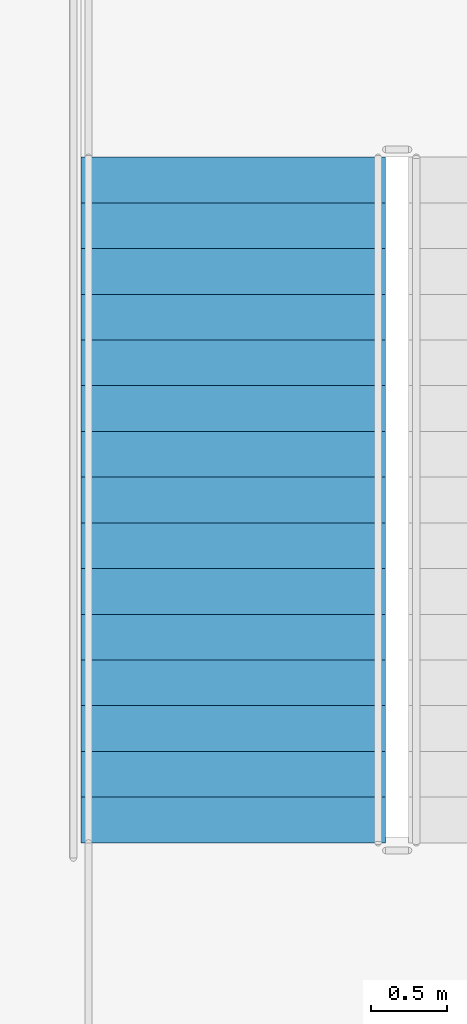
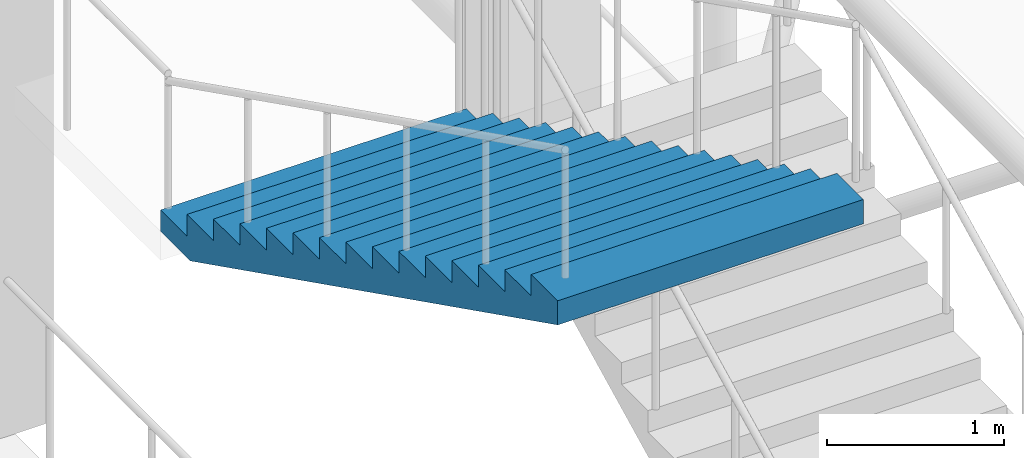
# One storey, part 81 of 100: 1 stair flight, 1 element without a shape of its own.
"""IFC4 building model written with IfcOpenShell, lengths in metres."""

from ifc_helpers import new_model, si_unit, direction, frame, origin, place, context, subcontext, project, spatial, faceted_brep, material, type_object, element, aggregate, save


model = new_model("IFC4")

# Units and contexts
model_context = context("Model", 3, precision=1e-05, world=origin(), true_north=direction((0.0, 1.0)))
body_context = subcontext(model_context, "Body", "Model", "MODEL_VIEW")
ifc_project = project(units=[si_unit("LENGTHUNIT", "METRE"), si_unit("AREAUNIT", "SQUARE_METRE"), si_unit("VOLUMEUNIT", "CUBIC_METRE"), si_unit("PLANEANGLEUNIT", "RADIAN"), si_unit("MASSUNIT", "GRAM", prefix="KILO")], contexts=[model_context])

# Site, building, storey
site_placement = place(None, origin())
site = spatial("IfcSite", under=ifc_project, at=site_placement, CompositionType="ELEMENT")
building_placement = place(site_placement, origin())
building = spatial("IfcBuilding", under=site, at=building_placement, Name="Kiln Court Media Centre", CompositionType="ELEMENT")
storey_placement = place(building_placement, frame((0.0, 0.0, 15.0)))
storey = spatial("IfcBuildingStorey", under=building, at=storey_placement, Name="L03", CompositionType="ELEMENT", Elevation=15.0)

# Stair, stair flight
ifc_material_1 = material(Name="Concrete C40/50", Category="concrete")
stair_type = type_object("IfcStairType", Name="Concrete C40/50 dog-leg stair 2000 wide, 150 riser", PredefinedType="HALF_TURN_STAIR", material=ifc_material_1)
stair_placement = place(storey_placement, origin())
stair = element("IfcStair", 1, at=stair_placement, inside=storey, type_object=stair_type, Name="ST-F1 L03", PredefinedType="HALF_TURN_STAIR")
ifc_material_2 = material(Name="Concrete C40/50", Category="concrete")
stair_flight_type = type_object("IfcStairFlightType", Name="Concrete C40/50 stair flight 2000 wide, 150 riser, 300 going", PredefinedType="STRAIGHT", material=ifc_material_2)
stair_flight_placement = place(storey_placement, frame((55.64990234375, 40.10009765625, 2.39990234375), z_axis=(0.0, 0.0, 1.0), x_axis=(0.0, -1.0, 0.0)))
stair_flight = element("IfcStairFlight", 2, at=stair_flight_placement, type_object=stair_flight_type, Name="L03-ST-5009 flight 5019", NumberOfRisers=16, NumberOfTreads=15, PredefinedType="STRAIGHT", RiserHeight=0.15, TreadLength=0.3, context=body_context, shape_type="Brep", body=[
    faceted_brep([(0.335205078125, -1.0, 0.0), (4.5, -1.0, 2.08251953125), (4.5, -1.0, 2.25), (4.199951171875, -1.0, 2.25), (4.199951171875, -1.0, 2.10009765625), (3.89990234375, -1.0, 2.10009765625), (3.89990234375, -1.0, 1.949951171875), (3.60009765625, -1.0, 1.949951171875), (3.60009765625, -1.0, 1.800048828125), (3.300048828125, -1.0, 1.800048828125), (3.300048828125, -1.0, 1.64990234375), (3.0, -1.0, 1.64990234375), (3.0, -1.0, 1.5), (2.699951171875, -1.0, 1.5), (2.699951171875, -1.0, 1.35009765625), (2.39990234375, -1.0, 1.35009765625), (2.39990234375, -1.0, 1.199951171875), (2.10009765625, -1.0, 1.199951171875), (2.10009765625, -1.0, 1.050048828125), (1.800048828125, -1.0, 1.050048828125), (1.800048828125, -1.0, 0.89990234375), (1.5, -1.0, 0.89990234375), (1.5, -1.0, 0.75), (1.199951171875, -1.0, 0.75), (1.199951171875, -1.0, 0.60009765625), (0.89990234375, -1.0, 0.60009765625), (0.89990234375, -1.0, 0.449951171875), (0.60009765625, -1.0, 0.449951171875), (0.60009765625, -1.0, 0.300048828125), (0.300048828125, -1.0, 0.300048828125), (0.300048828125, -1.0, 0.14990234375), (0.0, -1.0, 0.14990234375), (0.0, -1.0, 0.0), (0.0, 1.0, 0.0), (0.0, 1.0, 0.14990234375), (0.300048828125, 1.0, 0.14990234375), (0.300048828125, 1.0, 0.300048828125), (0.60009765625, 1.0, 0.300048828125), (0.60009765625, 1.0, 0.449951171875), (0.89990234375, 1.0, 0.449951171875), (0.89990234375, 1.0, 0.60009765625), (1.199951171875, 1.0, 0.60009765625), (1.199951171875, 1.0, 0.75), (1.5, 1.0, 0.75), (1.5, 1.0, 0.89990234375), (1.800048828125, 1.0, 0.89990234375), (1.800048828125, 1.0, 1.050048828125), (2.10009765625, 1.0, 1.050048828125), (2.10009765625, 1.0, 1.199951171875), (2.39990234375, 1.0, 1.199951171875), (2.39990234375, 1.0, 1.35009765625), (2.699951171875, 1.0, 1.35009765625), (2.699951171875, 1.0, 1.5), (3.0, 1.0, 1.5), (3.0, 1.0, 1.64990234375), (3.300048828125, 1.0, 1.64990234375), (3.300048828125, 1.0, 1.800048828125), (3.60009765625, 1.0, 1.800048828125), (3.60009765625, 1.0, 1.949951171875), (3.89990234375, 1.0, 1.949951171875), (3.89990234375, 1.0, 2.10009765625), (4.199951171875, 1.0, 2.10009765625), (4.199951171875, 1.0, 2.25), (4.5, 1.0, 2.25), (4.5, 1.0, 2.08251953125), (0.335205078125, 1.0, 0.0), (4.5, 0.10009765625, 2.08251953125), (0.335205078125, 0.10009765625, 0.0), (4.5, 0.080078125, 2.08251953125), (0.335205078125, 0.080078125, 0.0), (4.5, 0.06005859375, 2.08251953125), (0.335205078125, 0.06005859375, 0.0), (4.5, 0.0400390625, 2.08251953125), (0.335205078125, 0.0400390625, 0.0), (4.5, 0.02001953125, 2.08251953125), (0.335205078125, 0.02001953125, 0.0), (4.5, 0.0, 2.08251953125), (0.335205078125, 0.0, 0.0), (4.5, -0.02001953125, 2.08251953125), (0.335205078125, -0.02001953125, 0.0), (4.5, -0.0400390625, 2.08251953125), (0.335205078125, -0.0400390625, 0.0), (4.5, -0.06005859375, 2.08251953125), (0.335205078125, -0.06005859375, 0.0), (4.5, -0.080078125, 2.08251953125), (0.335205078125, -0.080078125, 0.0), (4.5, -0.10009765625, 2.08251953125), (0.335205078125, -0.10009765625, 0.0), (4.5, 0.10009765625, 2.25), (4.5, 0.080078125, 2.25), (4.5, 0.06005859375, 2.25), (4.5, 0.0400390625, 2.25), (4.5, 0.02001953125, 2.25), (4.5, 0.0, 2.25), (4.5, -0.02001953125, 2.25), (4.5, -0.0400390625, 2.25), (4.5, -0.06005859375, 2.25), (4.5, -0.080078125, 2.25), (4.5, -0.10009765625, 2.25), (4.199951171875, 0.10009765625, 2.25), (4.199951171875, 0.080078125, 2.25), (4.199951171875, 0.06005859375, 2.25), (4.199951171875, 0.0400390625, 2.25), (4.199951171875, 0.02001953125, 2.25), (4.199951171875, 0.0, 2.25), (4.199951171875, -0.02001953125, 2.25), (4.199951171875, -0.0400390625, 2.25), (4.199951171875, -0.06005859375, 2.25), (4.199951171875, -0.080078125, 2.25), (4.199951171875, -0.10009765625, 2.25), (4.199951171875, 0.10009765625, 2.10009765625), (4.199951171875, 0.080078125, 2.10009765625), (4.199951171875, 0.06005859375, 2.10009765625), (4.199951171875, 0.0400390625, 2.10009765625), (4.199951171875, 0.02001953125, 2.10009765625), (4.199951171875, 0.0, 2.10009765625), (4.199951171875, -0.02001953125, 2.10009765625), (4.199951171875, -0.0400390625, 2.10009765625), (4.199951171875, -0.06005859375, 2.10009765625), (4.199951171875, -0.080078125, 2.10009765625), (4.199951171875, -0.10009765625, 2.10009765625), (3.89990234375, 0.10009765625, 2.10009765625), (3.89990234375, 0.080078125, 2.10009765625), (3.89990234375, 0.06005859375, 2.10009765625), (3.89990234375, 0.0400390625, 2.10009765625), (3.89990234375, 0.02001953125, 2.10009765625), (3.89990234375, 0.0, 2.10009765625), (3.89990234375, -0.02001953125, 2.10009765625), (3.89990234375, -0.0400390625, 2.10009765625), (3.89990234375, -0.06005859375, 2.10009765625), (3.89990234375, -0.080078125, 2.10009765625), (3.89990234375, -0.10009765625, 2.10009765625), (3.89990234375, 0.10009765625, 1.949951171875), (3.89990234375, 0.080078125, 1.949951171875), (3.89990234375, 0.06005859375, 1.949951171875), (3.89990234375, 0.0400390625, 1.949951171875), (3.89990234375, 0.02001953125, 1.949951171875), (3.89990234375, 0.0, 1.949951171875), (3.89990234375, -0.02001953125, 1.949951171875), (3.89990234375, -0.0400390625, 1.949951171875), (3.89990234375, -0.06005859375, 1.949951171875), (3.89990234375, -0.080078125, 1.949951171875), (3.89990234375, -0.10009765625, 1.949951171875), (3.60009765625, 0.10009765625, 1.949951171875), (3.60009765625, 0.080078125, 1.949951171875), (3.60009765625, 0.06005859375, 1.949951171875), (3.60009765625, 0.0400390625, 1.949951171875), (3.60009765625, 0.02001953125, 1.949951171875), (3.60009765625, 0.0, 1.949951171875), (3.60009765625, -0.02001953125, 1.949951171875), (3.60009765625, -0.0400390625, 1.949951171875), (3.60009765625, -0.06005859375, 1.949951171875), (3.60009765625, -0.080078125, 1.949951171875), (3.60009765625, -0.10009765625, 1.949951171875), (3.60009765625, 0.10009765625, 1.800048828125), (3.60009765625, 0.080078125, 1.800048828125), (3.60009765625, 0.06005859375, 1.800048828125), (3.60009765625, 0.0400390625, 1.800048828125), (3.60009765625, 0.02001953125, 1.800048828125), (3.60009765625, 0.0, 1.800048828125), (3.60009765625, -0.02001953125, 1.800048828125), (3.60009765625, -0.0400390625, 1.800048828125), (3.60009765625, -0.06005859375, 1.800048828125), (3.60009765625, -0.080078125, 1.800048828125), (3.60009765625, -0.10009765625, 1.800048828125), (3.300048828125, 0.10009765625, 1.800048828125), (3.300048828125, 0.080078125, 1.800048828125), (3.300048828125, 0.06005859375, 1.800048828125), (3.300048828125, 0.0400390625, 1.800048828125), (3.300048828125, 0.02001953125, 1.800048828125), (3.300048828125, 0.0, 1.800048828125), (3.300048828125, -0.02001953125, 1.800048828125), (3.300048828125, -0.0400390625, 1.800048828125), (3.300048828125, -0.06005859375, 1.800048828125), (3.300048828125, -0.080078125, 1.800048828125), (3.300048828125, -0.10009765625, 1.800048828125), (3.300048828125, 0.10009765625, 1.64990234375), (3.300048828125, 0.080078125, 1.64990234375), (3.300048828125, 0.06005859375, 1.64990234375), (3.300048828125, 0.0400390625, 1.64990234375), (3.300048828125, 0.02001953125, 1.64990234375), (3.300048828125, 0.0, 1.64990234375), (3.300048828125, -0.02001953125, 1.64990234375), (3.300048828125, -0.0400390625, 1.64990234375), (3.300048828125, -0.06005859375, 1.64990234375), (3.300048828125, -0.080078125, 1.64990234375), (3.300048828125, -0.10009765625, 1.64990234375), (3.0, 0.10009765625, 1.64990234375), (3.0, 0.080078125, 1.64990234375), (3.0, 0.06005859375, 1.64990234375), (3.0, 0.0400390625, 1.64990234375), (3.0, 0.02001953125, 1.64990234375), (3.0, 0.0, 1.64990234375), (3.0, -0.02001953125, 1.64990234375), (3.0, -0.0400390625, 1.64990234375), (3.0, -0.06005859375, 1.64990234375), (3.0, -0.080078125, 1.64990234375), (3.0, -0.10009765625, 1.64990234375), (3.0, 0.10009765625, 1.5), (3.0, 0.080078125, 1.5), (3.0, 0.06005859375, 1.5), (3.0, 0.0400390625, 1.5), (3.0, 0.02001953125, 1.5), (3.0, 0.0, 1.5), (3.0, -0.02001953125, 1.5), (3.0, -0.0400390625, 1.5), (3.0, -0.06005859375, 1.5), (3.0, -0.080078125, 1.5), (3.0, -0.10009765625, 1.5), (2.699951171875, 0.10009765625, 1.5), (2.699951171875, 0.080078125, 1.5), (2.699951171875, 0.06005859375, 1.5), (2.699951171875, 0.0400390625, 1.5), (2.699951171875, 0.02001953125, 1.5), (2.699951171875, 0.0, 1.5), (2.699951171875, -0.02001953125, 1.5), (2.699951171875, -0.0400390625, 1.5), (2.699951171875, -0.06005859375, 1.5), (2.699951171875, -0.080078125, 1.5), (2.699951171875, -0.10009765625, 1.5), (2.699951171875, 0.10009765625, 1.35009765625), (2.699951171875, 0.080078125, 1.35009765625), (2.699951171875, 0.06005859375, 1.35009765625), (2.699951171875, 0.0400390625, 1.35009765625), (2.699951171875, 0.02001953125, 1.35009765625), (2.699951171875, 0.0, 1.35009765625), (2.699951171875, -0.02001953125, 1.35009765625), (2.699951171875, -0.0400390625, 1.35009765625), (2.699951171875, -0.06005859375, 1.35009765625), (2.699951171875, -0.080078125, 1.35009765625), (2.699951171875, -0.10009765625, 1.35009765625), (2.39990234375, 0.10009765625, 1.35009765625), (2.39990234375, 0.080078125, 1.35009765625), (2.39990234375, 0.06005859375, 1.35009765625), (2.39990234375, 0.0400390625, 1.35009765625), (2.39990234375, 0.02001953125, 1.35009765625), (2.39990234375, 0.0, 1.35009765625), (2.39990234375, -0.02001953125, 1.35009765625), (2.39990234375, -0.0400390625, 1.35009765625), (2.39990234375, -0.06005859375, 1.35009765625), (2.39990234375, -0.080078125, 1.35009765625), (2.39990234375, -0.10009765625, 1.35009765625), (2.39990234375, 0.10009765625, 1.199951171875), (2.39990234375, 0.080078125, 1.199951171875), (2.39990234375, 0.06005859375, 1.199951171875), (2.39990234375, 0.0400390625, 1.199951171875), (2.39990234375, 0.02001953125, 1.199951171875), (2.39990234375, 0.0, 1.199951171875), (2.39990234375, -0.02001953125, 1.199951171875), (2.39990234375, -0.0400390625, 1.199951171875), (2.39990234375, -0.06005859375, 1.199951171875), (2.39990234375, -0.080078125, 1.199951171875), (2.39990234375, -0.10009765625, 1.199951171875), (2.10009765625, 0.10009765625, 1.199951171875), (2.10009765625, 0.080078125, 1.199951171875), (2.10009765625, 0.06005859375, 1.199951171875), (2.10009765625, 0.0400390625, 1.199951171875), (2.10009765625, 0.02001953125, 1.199951171875), (2.10009765625, 0.0, 1.199951171875), (2.10009765625, -0.02001953125, 1.199951171875), (2.10009765625, -0.0400390625, 1.199951171875), (2.10009765625, -0.06005859375, 1.199951171875), (2.10009765625, -0.080078125, 1.199951171875), (2.10009765625, -0.10009765625, 1.199951171875), (2.10009765625, 0.10009765625, 1.050048828125), (2.10009765625, 0.080078125, 1.050048828125), (2.10009765625, 0.06005859375, 1.050048828125), (2.10009765625, 0.0400390625, 1.050048828125), (2.10009765625, 0.02001953125, 1.050048828125), (2.10009765625, 0.0, 1.050048828125), (2.10009765625, -0.02001953125, 1.050048828125), (2.10009765625, -0.0400390625, 1.050048828125), (2.10009765625, -0.06005859375, 1.050048828125), (2.10009765625, -0.080078125, 1.050048828125), (2.10009765625, -0.10009765625, 1.050048828125), (1.800048828125, 0.10009765625, 1.050048828125), (1.800048828125, 0.080078125, 1.050048828125), (1.800048828125, 0.06005859375, 1.050048828125), (1.800048828125, 0.0400390625, 1.050048828125), (1.800048828125, 0.02001953125, 1.050048828125), (1.800048828125, 0.0, 1.050048828125), (1.800048828125, -0.02001953125, 1.050048828125), (1.800048828125, -0.0400390625, 1.050048828125), (1.800048828125, -0.06005859375, 1.050048828125), (1.800048828125, -0.080078125, 1.050048828125), (1.800048828125, -0.10009765625, 1.050048828125), (1.800048828125, 0.10009765625, 0.89990234375), (1.800048828125, 0.080078125, 0.89990234375), (1.800048828125, 0.06005859375, 0.89990234375), (1.800048828125, 0.0400390625, 0.89990234375), (1.800048828125, 0.02001953125, 0.89990234375), (1.800048828125, 0.0, 0.89990234375), (1.800048828125, -0.02001953125, 0.89990234375), (1.800048828125, -0.0400390625, 0.89990234375), (1.800048828125, -0.06005859375, 0.89990234375), (1.800048828125, -0.080078125, 0.89990234375), (1.800048828125, -0.10009765625, 0.89990234375), (1.5, 0.10009765625, 0.89990234375), (1.5, 0.080078125, 0.89990234375), (1.5, 0.06005859375, 0.89990234375), (1.5, 0.0400390625, 0.89990234375), (1.5, 0.02001953125, 0.89990234375), (1.5, 0.0, 0.89990234375), (1.5, -0.02001953125, 0.89990234375), (1.5, -0.0400390625, 0.89990234375), (1.5, -0.06005859375, 0.89990234375), (1.5, -0.080078125, 0.89990234375), (1.5, -0.10009765625, 0.89990234375), (1.5, 0.10009765625, 0.75), (1.5, 0.080078125, 0.75), (1.5, 0.06005859375, 0.75), (1.5, 0.0400390625, 0.75), (1.5, 0.02001953125, 0.75), (1.5, 0.0, 0.75), (1.5, -0.02001953125, 0.75), (1.5, -0.0400390625, 0.75), (1.5, -0.06005859375, 0.75), (1.5, -0.080078125, 0.75), (1.5, -0.10009765625, 0.75), (1.199951171875, 0.10009765625, 0.75), (1.199951171875, 0.080078125, 0.75), (1.199951171875, 0.06005859375, 0.75), (1.199951171875, 0.0400390625, 0.75), (1.199951171875, 0.02001953125, 0.75), (1.199951171875, 0.0, 0.75), (1.199951171875, -0.02001953125, 0.75), (1.199951171875, -0.0400390625, 0.75), (1.199951171875, -0.06005859375, 0.75), (1.199951171875, -0.080078125, 0.75), (1.199951171875, -0.10009765625, 0.75), (1.199951171875, 0.10009765625, 0.60009765625), (1.199951171875, 0.080078125, 0.60009765625), (1.199951171875, 0.06005859375, 0.60009765625), (1.199951171875, 0.0400390625, 0.60009765625), (1.199951171875, 0.02001953125, 0.60009765625), (1.199951171875, 0.0, 0.60009765625), (1.199951171875, -0.02001953125, 0.60009765625), (1.199951171875, -0.0400390625, 0.60009765625), (1.199951171875, -0.06005859375, 0.60009765625), (1.199951171875, -0.080078125, 0.60009765625), (1.199951171875, -0.10009765625, 0.60009765625), (0.89990234375, 0.10009765625, 0.60009765625), (0.89990234375, 0.080078125, 0.60009765625), (0.89990234375, 0.06005859375, 0.60009765625), (0.89990234375, 0.0400390625, 0.60009765625), (0.89990234375, 0.02001953125, 0.60009765625), (0.89990234375, 0.0, 0.60009765625), (0.89990234375, -0.02001953125, 0.60009765625), (0.89990234375, -0.0400390625, 0.60009765625), (0.89990234375, -0.06005859375, 0.60009765625), (0.89990234375, -0.080078125, 0.60009765625), (0.89990234375, -0.10009765625, 0.60009765625), (0.89990234375, 0.10009765625, 0.449951171875), (0.89990234375, 0.080078125, 0.449951171875), (0.89990234375, 0.06005859375, 0.449951171875), (0.89990234375, 0.0400390625, 0.449951171875), (0.89990234375, 0.02001953125, 0.449951171875), (0.89990234375, 0.0, 0.449951171875), (0.89990234375, -0.02001953125, 0.449951171875), (0.89990234375, -0.0400390625, 0.449951171875), (0.89990234375, -0.06005859375, 0.449951171875), (0.89990234375, -0.080078125, 0.449951171875), (0.89990234375, -0.10009765625, 0.449951171875), (0.60009765625, 0.10009765625, 0.449951171875), (0.60009765625, 0.080078125, 0.449951171875), (0.60009765625, 0.06005859375, 0.449951171875), (0.60009765625, 0.0400390625, 0.449951171875), (0.60009765625, 0.02001953125, 0.449951171875), (0.60009765625, 0.0, 0.449951171875), (0.60009765625, -0.02001953125, 0.449951171875), (0.60009765625, -0.0400390625, 0.449951171875), (0.60009765625, -0.06005859375, 0.449951171875), (0.60009765625, -0.080078125, 0.449951171875), (0.60009765625, -0.10009765625, 0.449951171875), (0.60009765625, 0.10009765625, 0.300048828125), (0.60009765625, 0.080078125, 0.300048828125), (0.60009765625, 0.06005859375, 0.300048828125), (0.60009765625, 0.0400390625, 0.300048828125), (0.60009765625, 0.02001953125, 0.300048828125), (0.60009765625, 0.0, 0.300048828125), (0.60009765625, -0.02001953125, 0.300048828125), (0.60009765625, -0.0400390625, 0.300048828125), (0.60009765625, -0.06005859375, 0.300048828125), (0.60009765625, -0.080078125, 0.300048828125), (0.60009765625, -0.10009765625, 0.300048828125), (0.300048828125, 0.10009765625, 0.300048828125), (0.300048828125, 0.080078125, 0.300048828125), (0.300048828125, 0.06005859375, 0.300048828125), (0.300048828125, 0.0400390625, 0.300048828125), (0.300048828125, 0.02001953125, 0.300048828125), (0.300048828125, 0.0, 0.300048828125), (0.300048828125, -0.02001953125, 0.300048828125), (0.300048828125, -0.0400390625, 0.300048828125), (0.300048828125, -0.06005859375, 0.300048828125), (0.300048828125, -0.080078125, 0.300048828125), (0.300048828125, -0.10009765625, 0.300048828125), (0.300048828125, 0.10009765625, 0.14990234375), (0.300048828125, 0.080078125, 0.14990234375), (0.300048828125, 0.06005859375, 0.14990234375), (0.300048828125, 0.0400390625, 0.14990234375), (0.300048828125, 0.02001953125, 0.14990234375), (0.300048828125, 0.0, 0.14990234375), (0.300048828125, -0.02001953125, 0.14990234375), (0.300048828125, -0.0400390625, 0.14990234375), (0.300048828125, -0.06005859375, 0.14990234375), (0.300048828125, -0.080078125, 0.14990234375), (0.300048828125, -0.10009765625, 0.14990234375), (0.0, 0.10009765625, 0.14990234375), (0.0, 0.080078125, 0.14990234375), (0.0, 0.06005859375, 0.14990234375), (0.0, 0.0400390625, 0.14990234375), (0.0, 0.02001953125, 0.14990234375), (0.0, 0.0, 0.14990234375), (0.0, -0.02001953125, 0.14990234375), (0.0, -0.0400390625, 0.14990234375), (0.0, -0.06005859375, 0.14990234375), (0.0, -0.080078125, 0.14990234375), (0.0, -0.10009765625, 0.14990234375), (0.0, 0.10009765625, 0.0), (0.0, 0.080078125, 0.0), (0.0, 0.06005859375, 0.0), (0.0, 0.0400390625, 0.0), (0.0, 0.02001953125, 0.0), (0.0, 0.0, 0.0), (0.0, -0.02001953125, 0.0), (0.0, -0.0400390625, 0.0), (0.0, -0.06005859375, 0.0), (0.0, -0.080078125, 0.0), (0.0, -0.10009765625, 0.0)], [[[0, 1, 2, 3, 4, 5, 6, 7, 8, 9, 10, 11, 12, 13, 14, 15, 16, 17, 18, 19, 20, 21, 22, 23, 24, 25, 26, 27, 28, 29, 30, 31, 32]], [[33, 34, 35, 36, 37, 38, 39, 40, 41, 42, 43, 44, 45, 46, 47, 48, 49, 50, 51, 52, 53, 54, 55, 56, 57, 58, 59, 60, 61, 62, 63, 64, 65]], [[65, 64, 66, 67]], [[67, 66, 68, 69]], [[69, 68, 70, 71]], [[71, 70, 72, 73]], [[73, 72, 74, 75]], [[75, 74, 76, 77]], [[77, 76, 78, 79]], [[79, 78, 80, 81]], [[81, 80, 82, 83]], [[83, 82, 84, 85]], [[85, 84, 86, 87]], [[87, 86, 1, 0]], [[64, 63, 88, 66]], [[66, 88, 89, 68]], [[68, 89, 90, 70]], [[70, 90, 91, 72]], [[72, 91, 92, 74]], [[74, 92, 93, 76]], [[76, 93, 94, 78]], [[78, 94, 95, 80]], [[80, 95, 96, 82]], [[82, 96, 97, 84]], [[84, 97, 98, 86]], [[86, 98, 2, 1]], [[63, 62, 99, 88]], [[88, 99, 100, 89]], [[89, 100, 101, 90]], [[90, 101, 102, 91]], [[91, 102, 103, 92]], [[92, 103, 104, 93]], [[93, 104, 105, 94]], [[94, 105, 106, 95]], [[95, 106, 107, 96]], [[96, 107, 108, 97]], [[97, 108, 109, 98]], [[98, 109, 3, 2]], [[62, 61, 110, 99]], [[99, 110, 111, 100]], [[100, 111, 112, 101]], [[101, 112, 113, 102]], [[102, 113, 114, 103]], [[103, 114, 115, 104]], [[104, 115, 116, 105]], [[105, 116, 117, 106]], [[106, 117, 118, 107]], [[107, 118, 119, 108]], [[108, 119, 120, 109]], [[109, 120, 4, 3]], [[61, 60, 121, 110]], [[110, 121, 122, 111]], [[111, 122, 123, 112]], [[112, 123, 124, 113]], [[113, 124, 125, 114]], [[114, 125, 126, 115]], [[115, 126, 127, 116]], [[116, 127, 128, 117]], [[117, 128, 129, 118]], [[118, 129, 130, 119]], [[119, 130, 131, 120]], [[120, 131, 5, 4]], [[60, 59, 132, 121]], [[121, 132, 133, 122]], [[122, 133, 134, 123]], [[123, 134, 135, 124]], [[124, 135, 136, 125]], [[125, 136, 137, 126]], [[126, 137, 138, 127]], [[127, 138, 139, 128]], [[128, 139, 140, 129]], [[129, 140, 141, 130]], [[130, 141, 142, 131]], [[131, 142, 6, 5]], [[59, 58, 143, 132]], [[132, 143, 144, 133]], [[133, 144, 145, 134]], [[134, 145, 146, 135]], [[135, 146, 147, 136]], [[136, 147, 148, 137]], [[137, 148, 149, 138]], [[138, 149, 150, 139]], [[139, 150, 151, 140]], [[140, 151, 152, 141]], [[141, 152, 153, 142]], [[142, 153, 7, 6]], [[58, 57, 154, 143]], [[143, 154, 155, 144]], [[144, 155, 156, 145]], [[145, 156, 157, 146]], [[146, 157, 158, 147]], [[147, 158, 159, 148]], [[148, 159, 160, 149]], [[149, 160, 161, 150]], [[150, 161, 162, 151]], [[151, 162, 163, 152]], [[152, 163, 164, 153]], [[153, 164, 8, 7]], [[57, 56, 165, 154]], [[154, 165, 166, 155]], [[155, 166, 167, 156]], [[156, 167, 168, 157]], [[157, 168, 169, 158]], [[158, 169, 170, 159]], [[159, 170, 171, 160]], [[160, 171, 172, 161]], [[161, 172, 173, 162]], [[162, 173, 174, 163]], [[163, 174, 175, 164]], [[164, 175, 9, 8]], [[56, 55, 176, 165]], [[165, 176, 177, 166]], [[166, 177, 178, 167]], [[167, 178, 179, 168]], [[168, 179, 180, 169]], [[169, 180, 181, 170]], [[170, 181, 182, 171]], [[171, 182, 183, 172]], [[172, 183, 184, 173]], [[173, 184, 185, 174]], [[174, 185, 186, 175]], [[175, 186, 10, 9]], [[55, 54, 187, 176]], [[176, 187, 188, 177]], [[177, 188, 189, 178]], [[178, 189, 190, 179]], [[179, 190, 191, 180]], [[180, 191, 192, 181]], [[181, 192, 193, 182]], [[182, 193, 194, 183]], [[183, 194, 195, 184]], [[184, 195, 196, 185]], [[185, 196, 197, 186]], [[186, 197, 11, 10]], [[54, 53, 198, 187]], [[187, 198, 199, 188]], [[188, 199, 200, 189]], [[189, 200, 201, 190]], [[190, 201, 202, 191]], [[191, 202, 203, 192]], [[192, 203, 204, 193]], [[193, 204, 205, 194]], [[194, 205, 206, 195]], [[195, 206, 207, 196]], [[196, 207, 208, 197]], [[197, 208, 12, 11]], [[53, 52, 209, 198]], [[198, 209, 210, 199]], [[199, 210, 211, 200]], [[200, 211, 212, 201]], [[201, 212, 213, 202]], [[202, 213, 214, 203]], [[203, 214, 215, 204]], [[204, 215, 216, 205]], [[205, 216, 217, 206]], [[206, 217, 218, 207]], [[207, 218, 219, 208]], [[208, 219, 13, 12]], [[52, 51, 220, 209]], [[209, 220, 221, 210]], [[210, 221, 222, 211]], [[211, 222, 223, 212]], [[212, 223, 224, 213]], [[213, 224, 225, 214]], [[214, 225, 226, 215]], [[215, 226, 227, 216]], [[216, 227, 228, 217]], [[217, 228, 229, 218]], [[218, 229, 230, 219]], [[219, 230, 14, 13]], [[51, 50, 231, 220]], [[220, 231, 232, 221]], [[221, 232, 233, 222]], [[222, 233, 234, 223]], [[223, 234, 235, 224]], [[224, 235, 236, 225]], [[225, 236, 237, 226]], [[226, 237, 238, 227]], [[227, 238, 239, 228]], [[228, 239, 240, 229]], [[229, 240, 241, 230]], [[230, 241, 15, 14]], [[50, 49, 242, 231]], [[231, 242, 243, 232]], [[232, 243, 244, 233]], [[233, 244, 245, 234]], [[234, 245, 246, 235]], [[235, 246, 247, 236]], [[236, 247, 248, 237]], [[237, 248, 249, 238]], [[238, 249, 250, 239]], [[239, 250, 251, 240]], [[240, 251, 252, 241]], [[241, 252, 16, 15]], [[49, 48, 253, 242]], [[242, 253, 254, 243]], [[243, 254, 255, 244]], [[244, 255, 256, 245]], [[245, 256, 257, 246]], [[246, 257, 258, 247]], [[247, 258, 259, 248]], [[248, 259, 260, 249]], [[249, 260, 261, 250]], [[250, 261, 262, 251]], [[251, 262, 263, 252]], [[252, 263, 17, 16]], [[48, 47, 264, 253]], [[253, 264, 265, 254]], [[254, 265, 266, 255]], [[255, 266, 267, 256]], [[256, 267, 268, 257]], [[257, 268, 269, 258]], [[258, 269, 270, 259]], [[259, 270, 271, 260]], [[260, 271, 272, 261]], [[261, 272, 273, 262]], [[262, 273, 274, 263]], [[263, 274, 18, 17]], [[47, 46, 275, 264]], [[264, 275, 276, 265]], [[265, 276, 277, 266]], [[266, 277, 278, 267]], [[267, 278, 279, 268]], [[268, 279, 280, 269]], [[269, 280, 281, 270]], [[270, 281, 282, 271]], [[271, 282, 283, 272]], [[272, 283, 284, 273]], [[273, 284, 285, 274]], [[274, 285, 19, 18]], [[46, 45, 286, 275]], [[275, 286, 287, 276]], [[276, 287, 288, 277]], [[277, 288, 289, 278]], [[278, 289, 290, 279]], [[279, 290, 291, 280]], [[280, 291, 292, 281]], [[281, 292, 293, 282]], [[282, 293, 294, 283]], [[283, 294, 295, 284]], [[284, 295, 296, 285]], [[285, 296, 20, 19]], [[45, 44, 297, 286]], [[286, 297, 298, 287]], [[287, 298, 299, 288]], [[288, 299, 300, 289]], [[289, 300, 301, 290]], [[290, 301, 302, 291]], [[291, 302, 303, 292]], [[292, 303, 304, 293]], [[293, 304, 305, 294]], [[294, 305, 306, 295]], [[295, 306, 307, 296]], [[296, 307, 21, 20]], [[44, 43, 308, 297]], [[297, 308, 309, 298]], [[298, 309, 310, 299]], [[299, 310, 311, 300]], [[300, 311, 312, 301]], [[301, 312, 313, 302]], [[302, 313, 314, 303]], [[303, 314, 315, 304]], [[304, 315, 316, 305]], [[305, 316, 317, 306]], [[306, 317, 318, 307]], [[307, 318, 22, 21]], [[43, 42, 319, 308]], [[308, 319, 320, 309]], [[309, 320, 321, 310]], [[310, 321, 322, 311]], [[311, 322, 323, 312]], [[312, 323, 324, 313]], [[313, 324, 325, 314]], [[314, 325, 326, 315]], [[315, 326, 327, 316]], [[316, 327, 328, 317]], [[317, 328, 329, 318]], [[318, 329, 23, 22]], [[42, 41, 330, 319]], [[319, 330, 331, 320]], [[320, 331, 332, 321]], [[321, 332, 333, 322]], [[322, 333, 334, 323]], [[323, 334, 335, 324]], [[324, 335, 336, 325]], [[325, 336, 337, 326]], [[326, 337, 338, 327]], [[327, 338, 339, 328]], [[328, 339, 340, 329]], [[329, 340, 24, 23]], [[41, 40, 341, 330]], [[330, 341, 342, 331]], [[331, 342, 343, 332]], [[332, 343, 344, 333]], [[333, 344, 345, 334]], [[334, 345, 346, 335]], [[335, 346, 347, 336]], [[336, 347, 348, 337]], [[337, 348, 349, 338]], [[338, 349, 350, 339]], [[339, 350, 351, 340]], [[340, 351, 25, 24]], [[40, 39, 352, 341]], [[341, 352, 353, 342]], [[342, 353, 354, 343]], [[343, 354, 355, 344]], [[344, 355, 356, 345]], [[345, 356, 357, 346]], [[346, 357, 358, 347]], [[347, 358, 359, 348]], [[348, 359, 360, 349]], [[349, 360, 361, 350]], [[350, 361, 362, 351]], [[351, 362, 26, 25]], [[39, 38, 363, 352]], [[352, 363, 364, 353]], [[353, 364, 365, 354]], [[354, 365, 366, 355]], [[355, 366, 367, 356]], [[356, 367, 368, 357]], [[357, 368, 369, 358]], [[358, 369, 370, 359]], [[359, 370, 371, 360]], [[360, 371, 372, 361]], [[361, 372, 373, 362]], [[362, 373, 27, 26]], [[38, 37, 374, 363]], [[363, 374, 375, 364]], [[364, 375, 376, 365]], [[365, 376, 377, 366]], [[366, 377, 378, 367]], [[367, 378, 379, 368]], [[368, 379, 380, 369]], [[369, 380, 381, 370]], [[370, 381, 382, 371]], [[371, 382, 383, 372]], [[372, 383, 384, 373]], [[373, 384, 28, 27]], [[37, 36, 385, 374]], [[374, 385, 386, 375]], [[375, 386, 387, 376]], [[376, 387, 388, 377]], [[377, 388, 389, 378]], [[378, 389, 390, 379]], [[379, 390, 391, 380]], [[380, 391, 392, 381]], [[381, 392, 393, 382]], [[382, 393, 394, 383]], [[383, 394, 395, 384]], [[384, 395, 29, 28]], [[36, 35, 396, 385]], [[385, 396, 397, 386]], [[386, 397, 398, 387]], [[387, 398, 399, 388]], [[388, 399, 400, 389]], [[389, 400, 401, 390]], [[390, 401, 402, 391]], [[391, 402, 403, 392]], [[392, 403, 404, 393]], [[393, 404, 405, 394]], [[394, 405, 406, 395]], [[395, 406, 30, 29]], [[35, 34, 407, 396]], [[396, 407, 408, 397]], [[397, 408, 409, 398]], [[398, 409, 410, 399]], [[399, 410, 411, 400]], [[400, 411, 412, 401]], [[401, 412, 413, 402]], [[402, 413, 414, 403]], [[403, 414, 415, 404]], [[404, 415, 416, 405]], [[405, 416, 417, 406]], [[406, 417, 31, 30]], [[34, 33, 418, 407]], [[407, 418, 419, 408]], [[408, 419, 420, 409]], [[409, 420, 421, 410]], [[410, 421, 422, 411]], [[411, 422, 423, 412]], [[412, 423, 424, 413]], [[413, 424, 425, 414]], [[414, 425, 426, 415]], [[415, 426, 427, 416]], [[416, 427, 428, 417]], [[417, 428, 32, 31]], [[33, 65, 67, 418]], [[418, 67, 69, 419]], [[419, 69, 71, 420]], [[420, 71, 73, 421]], [[421, 73, 75, 422]], [[422, 75, 77, 423]], [[423, 77, 79, 424]], [[424, 79, 81, 425]], [[425, 81, 83, 426]], [[426, 83, 85, 427]], [[427, 85, 87, 428]], [[428, 87, 0, 32]]]),
])
aggregate(stair, [stair_flight])

save(model, "model.ifc")
